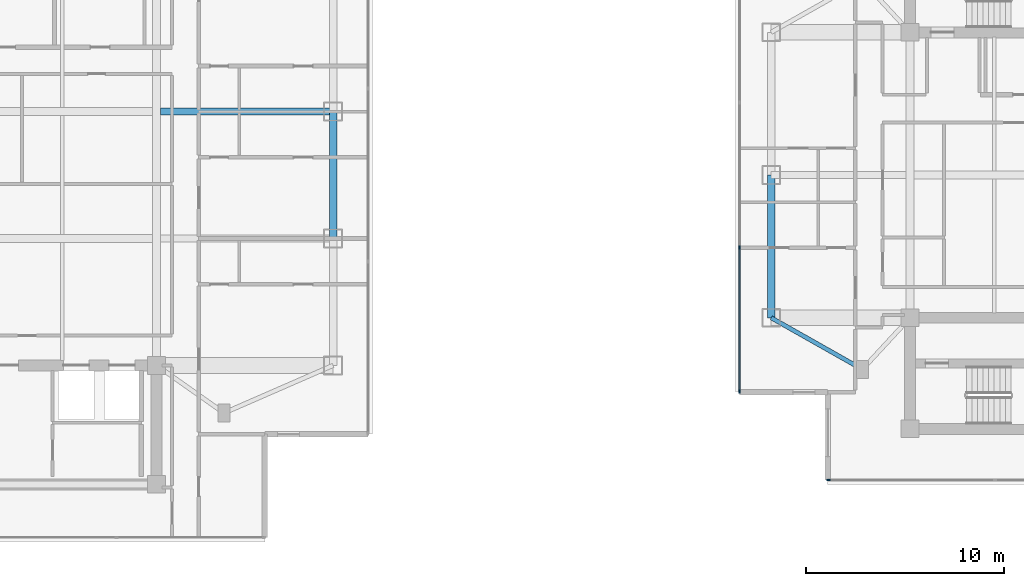
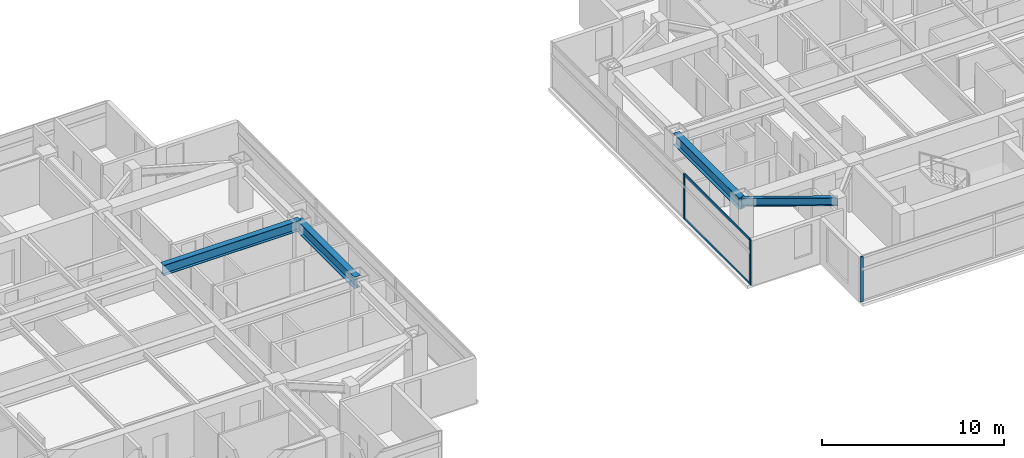
# One storey, part 5 of 24: 5 members, 4 beams, 2 elements without a shape of their own.
"""IFC4 building model written with IfcOpenShell, lengths in metres."""

from ifc_helpers import new_model, si_unit, direction, frame, origin, origin_2d, place, context, subcontext, project, spatial, rectangle, i_section, extrude, material, material_profile, profile_set, type_object, element, aggregate, save


model = new_model("IFC4")

# Units and contexts
model_context = context("Model", 3, precision=1e-05, world=origin(), true_north=direction((0.0, 1.0)))
body_context = subcontext(model_context, "Body", "Model", "MODEL_VIEW")
ifc_project = project(units=[si_unit("LENGTHUNIT", "METRE"), si_unit("AREAUNIT", "SQUARE_METRE"), si_unit("VOLUMEUNIT", "CUBIC_METRE"), si_unit("PLANEANGLEUNIT", "RADIAN"), si_unit("MASSUNIT", "GRAM", prefix="KILO")], contexts=[model_context])

# Site, building, storey
site_placement = place(None, origin())
site = spatial("IfcSite", under=ifc_project, at=site_placement, CompositionType="ELEMENT")
building_placement = place(site_placement, origin())
building = spatial("IfcBuilding", under=site, at=building_placement, Name="Mirazonda Arch Towers", CompositionType="ELEMENT")
storey_placement = place(building_placement, frame((0.0, 0.0, 193.39990234375)))
storey = spatial("IfcBuildingStorey", under=building, at=storey_placement, Name="L55", CompositionType="ELEMENT", Elevation=193.39990234375)

# Beams
ifc_material_1 = material(Name="Steel ASTM A992 Grade 50", Category="steel")
ifc_material_profile_1 = material_profile(ifc_material_1, i_section(OverallWidth=0.381103515625, OverallDepth=0.77294921875, WebThickness=0.0166015625, FlangeThickness=0.027099609375, at=origin_2d()), Name="W30X173")
ifc_profile_set_1 = profile_set([ifc_material_profile_1], Name="Steel ASTM A992 Grade 50")
beam_type_1 = type_object("IfcBeamType", Name="BM-EXT-W30X173", PredefinedType="USERDEFINED", material=ifc_profile_set_1)
beam_1_placement = place(storey_placement, frame((38.89990234375, 24.800048828125, 2.66357421875), z_axis=(0.0, 1.0, 0.0), x_axis=(-1.0, 0.0, 0.0)))
element("IfcBeam", 1, at=beam_1_placement, inside=storey, type_object=beam_type_1, Name="L55 Floor Beam BM-T1-L55-NS-E-24", ObjectType="GIRDER", PredefinedType="USERDEFINED", context=body_context, shape_type="SweptSolid", body=[
    extrude(i_section(OverallWidth=0.381103515625, OverallDepth=0.77294921875, WebThickness=0.0166015625, FlangeThickness=0.027099609375, at=origin_2d()), origin(), (0.0, 0.0, 1.0), 6.39990234375),
])
beam_2_placement = place(storey_placement, frame((61.0, 20.800048828125, 2.66357421875), z_axis=(0.0, 1.0, 0.0), x_axis=(-1.0, 0.0, 0.0)))
element("IfcBeam", 2, at=beam_2_placement, inside=storey, type_object=beam_type_1, Name="L55 Floor Beam BM-T2-L55-NS-W-20", ObjectType="GIRDER", PredefinedType="USERDEFINED", context=body_context, shape_type="SweptSolid", body=[
    extrude(i_section(OverallWidth=0.381103515625, OverallDepth=0.77294921875, WebThickness=0.0166015625, FlangeThickness=0.027099609375, at=origin_2d()), origin(), (0.0, 0.0, 1.0), 7.199951171875),
])
ifc_material_profile_2 = material_profile(ifc_material_1, i_section(OverallWidth=0.214111328125, OverallDepth=0.549072265625, WebThickness=0.0146484375, FlangeThickness=0.023681640625, at=origin_2d()), Name="W21X93")
ifc_profile_set_2 = profile_set([ifc_material_profile_2], Name="Steel ASTM A992 Grade 50")
beam_type_2 = type_object("IfcBeamType", Name="BM-INT-W21X93", PredefinedType="BEAM", material=ifc_profile_set_2)
beam_3_placement = place(storey_placement, frame((65.60009765625, 18.199951171875, 2.775634765625), z_axis=(-0.870559396632, 0.492063346467, 0.0), x_axis=(-0.492063346467, -0.870559396632, 0.0)))
element("IfcBeam", 3, at=beam_3_placement, inside=storey, type_object=beam_type_2, Name="L55 Floor Beam BM-T2-L55-PL-SW2", PredefinedType="BEAM", context=body_context, shape_type="SweptSolid", body=[
    extrude(i_section(OverallWidth=0.214111328125, OverallDepth=0.549072265625, WebThickness=0.0146484375, FlangeThickness=0.023681640625, at=origin_2d()), origin(), (0.0, 0.0, 1.0), 5.2841796875),
])
ifc_material_profile_3 = material_profile(ifc_material_1, i_section(OverallWidth=0.35498046875, OverallDepth=0.696044921875, WebThickness=0.015380859375, FlangeThickness=0.02490234375, at=origin_2d()), Name="W27X146")
ifc_profile_set_3 = profile_set([ifc_material_profile_3], Name="Steel ASTM A992 Grade 50")
beam_type_3 = type_object("IfcBeamType", Name="BM-INT-W27X146", PredefinedType="BEAM", material=ifc_profile_set_3)
beam_4_placement = place(storey_placement, frame((30.199951171875, 31.199951171875, 2.7021484375), z_axis=(1.0, 0.0, 0.0), x_axis=(0.0, 1.0, 0.0)))
element("IfcBeam", 4, at=beam_4_placement, inside=storey, type_object=beam_type_3, Name="L55 Floor Beam BM-T1-L55-GE3", PredefinedType="BEAM", context=body_context, shape_type="SweptSolid", body=[
    extrude(i_section(OverallWidth=0.35498046875, OverallDepth=0.696044921875, WebThickness=0.015380859375, FlangeThickness=0.02490234375, at=origin_2d()), origin(), (0.0, 0.0, 1.0), 8.699951171875),
])

# Curtain wall, member
ifc_material_2 = material(Name="Anodised Aluminium and Low-E Glass", Category="aluminium")
curtain_wall_type = type_object("IfcCurtainWallType", Name="CW-RES-UNIT", PredefinedType="NOTDEFINED", material=ifc_material_2)
curtain_wall_1_placement = place(storey_placement, origin())
curtain_wall_1 = element("IfcCurtainWall", 5, at=curtain_wall_1_placement, inside=storey, type_object=curtain_wall_type, Name="L55 T2 S Facade CW-L55-T2-S", PredefinedType="NOTDEFINED")
ifc_material_3 = material(Name="Anodised Aluminium Alloy", Category="aluminium")
ifc_material_profile_4 = material_profile(ifc_material_3, rectangle(XDim=0.074951171875, YDim=0.175048828125, at=origin_2d()), Name="ALU-MULL-75x175")
ifc_profile_set_4 = profile_set([ifc_material_profile_4], Name="Anodised Aluminium Alloy")
member_type_1 = type_object("IfcMemberType", Name="MULL-CW-RES-UNIT", PredefinedType="MULLION", material=ifc_profile_set_4)
member_1_placement = place(storey_placement, frame((63.8857421875, 12.611572265625, 0.0), z_axis=(0.0, 0.0, 1.0), x_axis=(0.0, -1.0, 0.0)))
member_1 = element("IfcMember", 6, at=member_1_placement, type_object=member_type_1, Name="CW-104 mullion 4", PredefinedType="MULLION", context=body_context, shape_type="SweptSolid", body=[
    extrude(rectangle(XDim=0.074951171875, YDim=0.175048828125, at=origin_2d()), origin(), (0.0, 0.0, 1.0), 3.030029296875),
])
aggregate(curtain_wall_1, [member_1])

# Curtain wall, members
curtain_wall_2_placement = place(storey_placement, origin())
curtain_wall_2 = element("IfcCurtainWall", 7, at=curtain_wall_2_placement, inside=storey, type_object=curtain_wall_type, Name="L55 T2 W Facade CW-L55-T2-W", PredefinedType="NOTDEFINED")
member_2_placement = place(storey_placement, frame((59.408447265625, 24.350341796875, 0.0), z_axis=(0.0, 0.0, 1.0), x_axis=(1.0, 0.0, 0.0)))
member_2 = element("IfcMember", 8, at=member_2_placement, type_object=member_type_1, Name="CW-104 mullion 3", PredefinedType="MULLION", context=body_context, shape_type="SweptSolid", body=[
    extrude(rectangle(XDim=0.074951171875, YDim=0.175048828125, at=origin_2d()), origin(), (0.0, 0.0, 1.0), 3.030029296875),
])
member_3_placement = place(storey_placement, frame((59.408447265625, 17.0888671875, 0.0), z_axis=(0.0, 0.0, 1.0), x_axis=(1.0, 0.0, 0.0)))
member_3 = element("IfcMember", 9, at=member_3_placement, type_object=member_type_1, Name="CW-104 mullion 4", PredefinedType="MULLION", context=body_context, shape_type="SweptSolid", body=[
    extrude(rectangle(XDim=0.074951171875, YDim=0.175048828125, at=origin_2d()), origin(), (0.0, 0.0, 1.0), 3.030029296875),
])
ifc_material_profile_5 = material_profile(ifc_material_3, rectangle(XDim=0.074951171875, YDim=0.155029296875, at=origin_2d()), Name="ALU-TRAN-75x155")
ifc_profile_set_5 = profile_set([ifc_material_profile_5], Name="Anodised Aluminium Alloy")
member_type_2 = type_object("IfcMemberType", Name="TRAN-CW-RES-UNIT", PredefinedType="USERDEFINED", material=ifc_profile_set_5)
member_4_placement = place(storey_placement, frame((59.408447265625, 24.31298828125, 0.03759765625), z_axis=(0.0, -1.0, 0.0), x_axis=(1.0, 0.0, 0.0)))
member_4 = element("IfcMember", 10, at=member_4_placement, type_object=member_type_2, Name="CW-104 transom 3.1", ObjectType="TRANSOM", PredefinedType="USERDEFINED", context=body_context, shape_type="SweptSolid", body=[
    extrude(rectangle(XDim=0.074951171875, YDim=0.155029296875, at=origin_2d()), origin(), (0.0, 0.0, 1.0), 7.186767578125),
])
member_5_placement = place(storey_placement, frame((59.408447265625, 24.31298828125, 2.99267578125), z_axis=(0.0, -1.0, 0.0), x_axis=(1.0, 0.0, 0.0)))
member_5 = element("IfcMember", 11, at=member_5_placement, type_object=member_type_2, Name="CW-104 transom 3.2", ObjectType="TRANSOM", PredefinedType="USERDEFINED", context=body_context, shape_type="SweptSolid", body=[
    extrude(rectangle(XDim=0.074951171875, YDim=0.155029296875, at=origin_2d()), origin(), (0.0, 0.0, 1.0), 7.186767578125),
])
aggregate(curtain_wall_2, [member_2, member_3, member_4, member_5])

save(model, "model.ifc")
